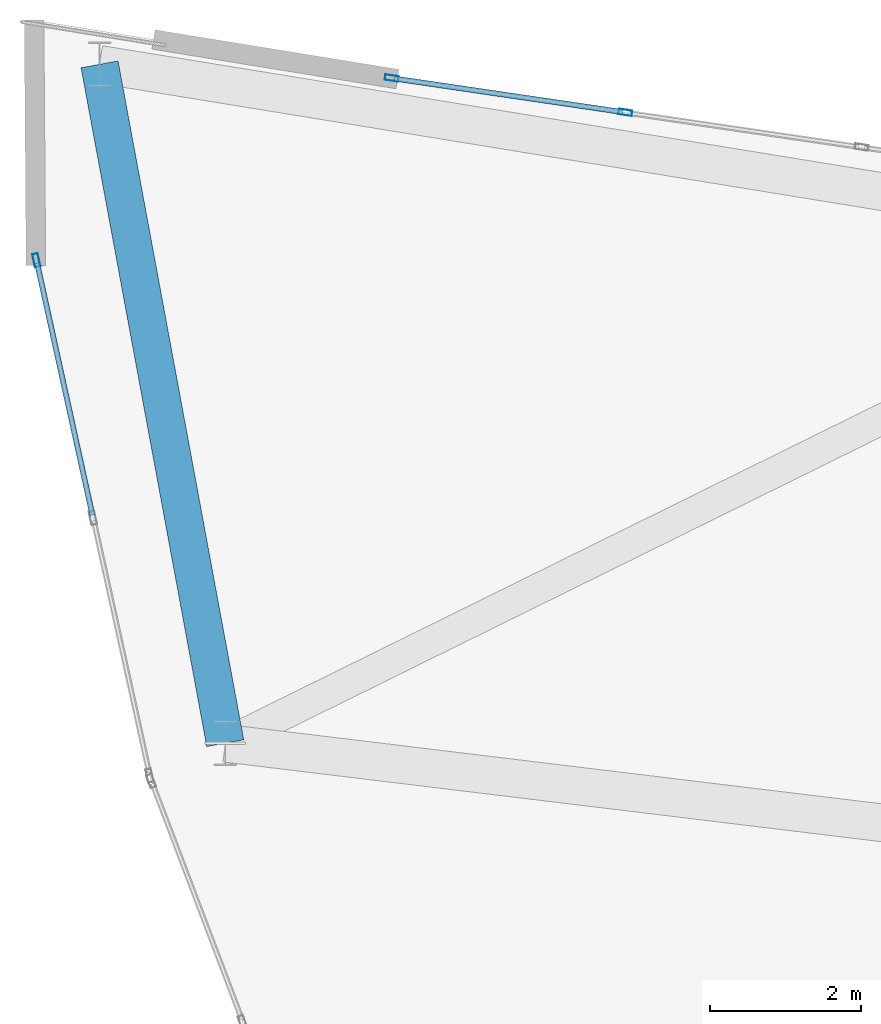
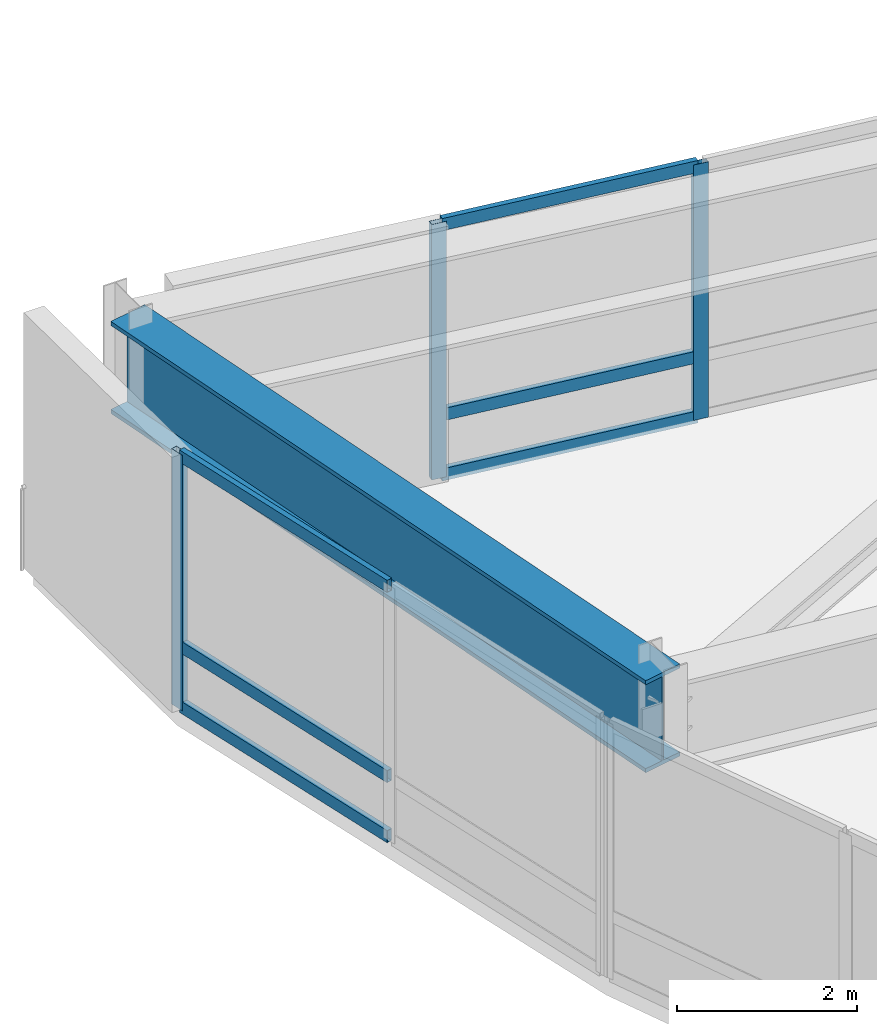
# One storey, part 10 of 23: 9 members, 1 beam, 2 elements without a shape of their own.
"""IFC4 building model written with IfcOpenShell, lengths in metres."""

from ifc_helpers import new_model, si_unit, direction, frame, origin, origin_2d, place, context, subcontext, project, spatial, hollow_rectangle, i_section, extrude, material, layer, layer_set, material_profile, profile_set, type_object, element, aggregate, save


model = new_model("IFC4")

# Units and contexts
model_context = context("Model", 3, precision=1e-05, world=origin(), true_north=direction((0.0, 1.0)))
body_context = subcontext(model_context, "Body", "Model", "MODEL_VIEW")
ifc_project = project(units=[si_unit("LENGTHUNIT", "METRE"), si_unit("AREAUNIT", "SQUARE_METRE"), si_unit("VOLUMEUNIT", "CUBIC_METRE"), si_unit("PLANEANGLEUNIT", "RADIAN"), si_unit("MASSUNIT", "GRAM", prefix="KILO")], contexts=[model_context])

# Site, building, storey
site_placement = place(None, origin())
site = spatial("IfcSite", under=ifc_project, at=site_placement, CompositionType="ELEMENT")
building_placement = place(site_placement, origin())
building = spatial("IfcBuilding", under=site, at=building_placement, Name="Menara Vayukalpa", CompositionType="ELEMENT")
storey_placement = place(building_placement, frame((0.0, 0.0, 103.97998046875)))
storey = spatial("IfcBuildingStorey", under=building, at=storey_placement, Name="L25", CompositionType="ELEMENT", Elevation=103.97998046875)

# Beam
ifc_material_1 = material(Name="Steel S460", Category="steel")
ifc_material_profile_1 = material_profile(ifc_material_1, i_section(OverallWidth=0.5, OverallDepth=1.25, WebThickness=0.028076171875, FlangeThickness=0.054931640625, at=origin_2d()), Name="WG 1250x500x28x55")
ifc_profile_set_1 = profile_set([ifc_material_profile_1], Name="Steel S460")
beam_type = type_object("IfcBeamType", Name="BM-TG2", PredefinedType="BEAM", material=ifc_profile_set_1)
beam_placement = place(storey_placement, frame((-0.4287109375, 38.2373046875, 2.844970703125), z_axis=(0.182027272378, -0.983293482187, 0.0), x_axis=(0.983293482187, 0.182027272378, 0.0)))
element("IfcBeam", 1, at=beam_placement, inside=storey, type_object=beam_type, Name="L25 SB2 Sky Bar Edge Girder 1", PredefinedType="BEAM", context=body_context, shape_type="SweptSolid", body=[
    extrude(i_section(OverallWidth=0.5, OverallDepth=1.25, WebThickness=0.028076171875, FlangeThickness=0.054931640625, at=origin_2d()), origin(), (0.0, 0.0, 1.0), 9.167236328125),
])

# Curtain wall, members
ifc_material_2 = material(Name="Anodised Terracotta Aluminium Alloy 6063-T6", Category="masonry")
ifc_layer = layer(ifc_material_2, 0.179931640625)
ifc_layer_set = layer_set([ifc_layer], Name="Anodised Terracotta Aluminium Alloy 6063-T6")
curtain_wall_type = type_object("IfcCurtainWallType", Name="CW-CW4", PredefinedType="USERDEFINED", material=ifc_layer_set)
curtain_wall_1_placement = place(storey_placement, origin())
curtain_wall_1 = element("IfcCurtainWall", 2, at=curtain_wall_1_placement, inside=storey, type_object=curtain_wall_type, Name="L25 Sky Bar Cantilever Glazed Curtain Wall CW4 07", ObjectType="UNITISED", PredefinedType="USERDEFINED")
ifc_material_3 = material(Name="Anodised Terracotta Aluminium Alloy 6063-T6", Category="masonry")
ifc_material_profile_2 = material_profile(ifc_material_3, hollow_rectangle(XDim=0.074951171875, YDim=0.179931640625, WallThickness=0.00390625, at=origin_2d()), Name="ALU 75x180x4")
ifc_profile_set_2 = profile_set([ifc_material_profile_2], Name="Anodised Terracotta Aluminium Alloy 6063-T6")
member_type_1 = type_object("IfcMemberType", Name="CWM-CW4", PredefinedType="MULLION", material=ifc_profile_set_2)
member_1_placement = place(storey_placement, frame((6.552001953125, 37.598876953125, 0.0), z_axis=(0.0, 0.0, 1.0), x_axis=(-0.145450733924, -0.989365495659, 0.0)))
member_1 = element("IfcMember", 3, at=member_1_placement, type_object=member_type_1, Name="CW4 mullion 3", PredefinedType="MULLION", context=body_context, shape_type="SweptSolid", body=[
    extrude(hollow_rectangle(XDim=0.074951171875, YDim=0.179931640625, WallThickness=0.00390625, at=origin_2d()), origin(), (0.0, 0.0, 1.0), 3.469970703125),
])
member_2_placement = place(storey_placement, frame((3.4501953125, 38.054931640625, 0.0), z_axis=(0.0, 0.0, 1.0), x_axis=(-0.145450733924, -0.989365495659, 0.0)))
member_2 = element("IfcMember", 4, at=member_2_placement, type_object=member_type_1, Name="CW4 mullion 4", PredefinedType="MULLION", context=body_context, shape_type="SweptSolid", body=[
    extrude(hollow_rectangle(XDim=0.074951171875, YDim=0.179931640625, WallThickness=0.00390625, at=origin_2d()), origin(), (0.0, 0.0, 1.0), 3.469970703125),
])

# Curtain wall, member
curtain_wall_2_placement = place(storey_placement, origin())
curtain_wall_2 = element("IfcCurtainWall", 5, at=curtain_wall_2_placement, inside=storey, type_object=curtain_wall_type, Name="L25 Sky Bar Cantilever Glazed Curtain Wall CW4 10", ObjectType="UNITISED", PredefinedType="USERDEFINED")
member_3_placement = place(storey_placement, frame((-1.267333984375, 35.635986328125, 0.0), z_axis=(0.0, 0.0, 1.0), x_axis=(0.976721757533, 0.214510159112, 0.0)))
member_3 = element("IfcMember", 6, at=member_3_placement, type_object=member_type_1, Name="CW4 mullion 1", PredefinedType="MULLION", context=body_context, shape_type="SweptSolid", body=[
    extrude(hollow_rectangle(XDim=0.074951171875, YDim=0.179931640625, WallThickness=0.00390625, at=origin_2d()), origin(), (0.0, 0.0, 1.0), 3.469970703125),
])

# Member
ifc_material_4 = material(Name="Anodised Terracotta Aluminium Alloy 6063-T6", Category="masonry")
ifc_material_profile_3 = material_profile(ifc_material_4, hollow_rectangle(XDim=0.070068359375, YDim=0.1650390625, WallThickness=0.00390625, at=origin_2d()), Name="ALU 70x165x4")
ifc_profile_set_3 = profile_set([ifc_material_profile_3], Name="Anodised Terracotta Aluminium Alloy 6063-T6")
member_type_2 = type_object("IfcMemberType", Name="CWT-CW4", PredefinedType="USERDEFINED", material=ifc_profile_set_3)
member_4_placement = place(storey_placement, frame((6.514892578125, 37.604248046875, 0.034912109375), z_axis=(-0.989366902659, 0.145441163096, 0.0), x_axis=(-0.145441163096, -0.989366902659, 0.0)))
member_4 = element("IfcMember", 7, at=member_4_placement, type_object=member_type_2, Name="CW4 transom 3.1", ObjectType="TRANSOM", PredefinedType="USERDEFINED", context=body_context, shape_type="SweptSolid", body=[
    extrude(hollow_rectangle(XDim=0.070068359375, YDim=0.1650390625, WallThickness=0.00390625, at=origin_2d()), origin(), (0.0, 0.0, 1.0), 3.06005859375),
])

member_5_placement = place(storey_placement, frame((6.514892578125, 37.604248046875, 0.85009765625), z_axis=(-0.989366902659, 0.145441163096, 0.0), x_axis=(-0.145441163096, -0.989366902659, 0.0)))
member_5 = element("IfcMember", 8, at=member_5_placement, type_object=member_type_2, Name="CW4 transom 3.2", ObjectType="TRANSOM", PredefinedType="USERDEFINED", context=body_context, shape_type="SweptSolid", body=[
    extrude(hollow_rectangle(XDim=0.070068359375, YDim=0.1650390625, WallThickness=0.00390625, at=origin_2d()), origin(), (0.0, 0.0, 1.0), 3.06005859375),
])

member_6_placement = place(storey_placement, frame((6.514892578125, 37.604248046875, 3.43505859375), z_axis=(-0.989366902659, 0.145441163096, 0.0), x_axis=(-0.145441163096, -0.989366902659, 0.0)))
member_6 = element("IfcMember", 9, at=member_6_placement, type_object=member_type_2, Name="CW4 transom 3.3", ObjectType="TRANSOM", PredefinedType="USERDEFINED", context=body_context, shape_type="SweptSolid", body=[
    extrude(hollow_rectangle(XDim=0.070068359375, YDim=0.1650390625, WallThickness=0.00390625, at=origin_2d()), origin(), (0.0, 0.0, 1.0), 3.06005859375),
])

aggregate(curtain_wall_1, [member_1, member_2, member_4, member_5, member_6])

member_7_placement = place(storey_placement, frame((-1.25927734375, 35.599365234375, 0.034912109375), z_axis=(0.21453159436, -0.976717049621, 0.0), x_axis=(0.976717049621, 0.21453159436, 0.0)))
member_7 = element("IfcMember", 10, at=member_7_placement, type_object=member_type_2, Name="CW4 transom 1.1", ObjectType="TRANSOM", PredefinedType="USERDEFINED", context=body_context, shape_type="SweptSolid", body=[
    extrude(hollow_rectangle(XDim=0.070068359375, YDim=0.1650390625, WallThickness=0.00390625, at=origin_2d()), origin(), (0.0, 0.0, 1.0), 3.427734375),
])

member_8_placement = place(storey_placement, frame((-1.25927734375, 35.599365234375, 0.85009765625), z_axis=(0.21453159436, -0.976717049621, 0.0), x_axis=(0.976717049621, 0.21453159436, 0.0)))
member_8 = element("IfcMember", 11, at=member_8_placement, type_object=member_type_2, Name="CW4 transom 1.2", ObjectType="TRANSOM", PredefinedType="USERDEFINED", context=body_context, shape_type="SweptSolid", body=[
    extrude(hollow_rectangle(XDim=0.070068359375, YDim=0.1650390625, WallThickness=0.00390625, at=origin_2d()), origin(), (0.0, 0.0, 1.0), 3.427734375),
])

member_9_placement = place(storey_placement, frame((-1.25927734375, 35.599365234375, 3.43505859375), z_axis=(0.21453159436, -0.976717049621, 0.0), x_axis=(0.976717049621, 0.21453159436, 0.0)))
member_9 = element("IfcMember", 12, at=member_9_placement, type_object=member_type_2, Name="CW4 transom 1.3", ObjectType="TRANSOM", PredefinedType="USERDEFINED", context=body_context, shape_type="SweptSolid", body=[
    extrude(hollow_rectangle(XDim=0.070068359375, YDim=0.1650390625, WallThickness=0.00390625, at=origin_2d()), origin(), (0.0, 0.0, 1.0), 3.427734375),
])

aggregate(curtain_wall_2, [member_3, member_7, member_8, member_9])

save(model, "model.ifc")
